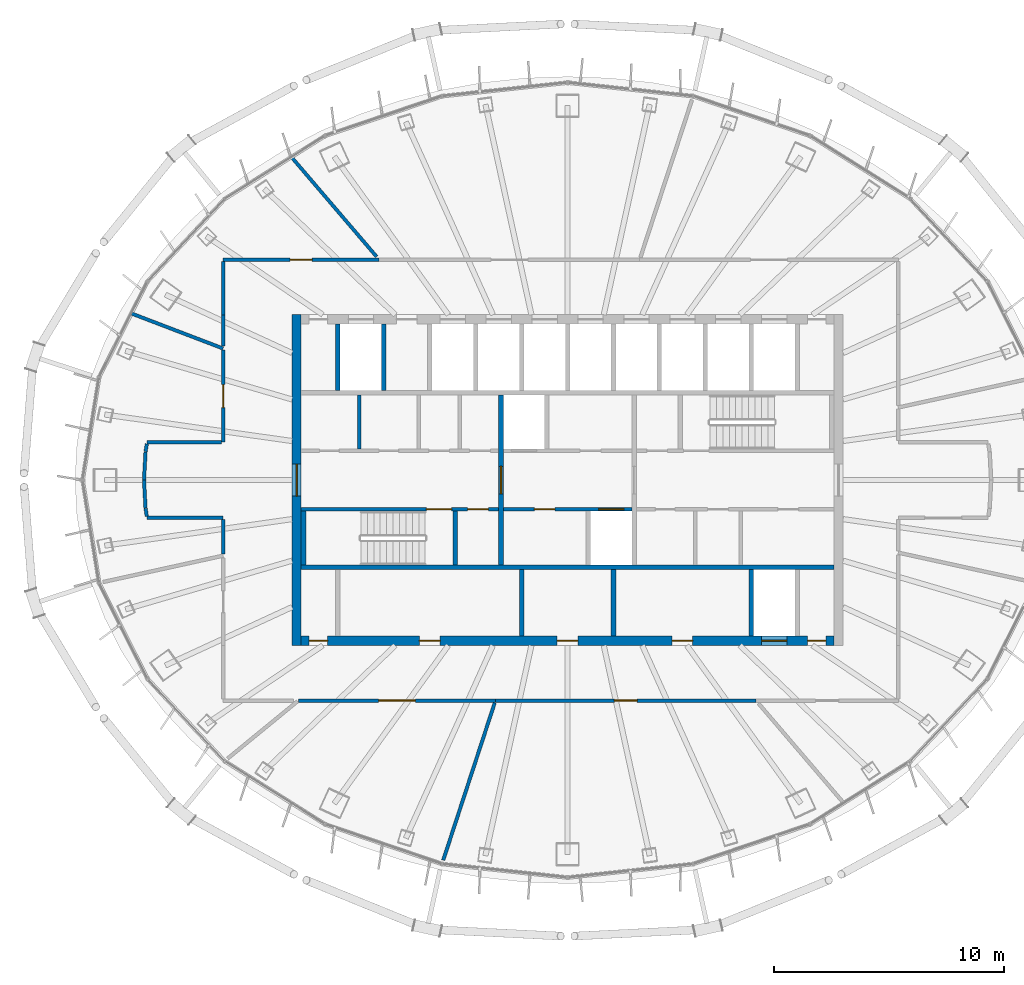
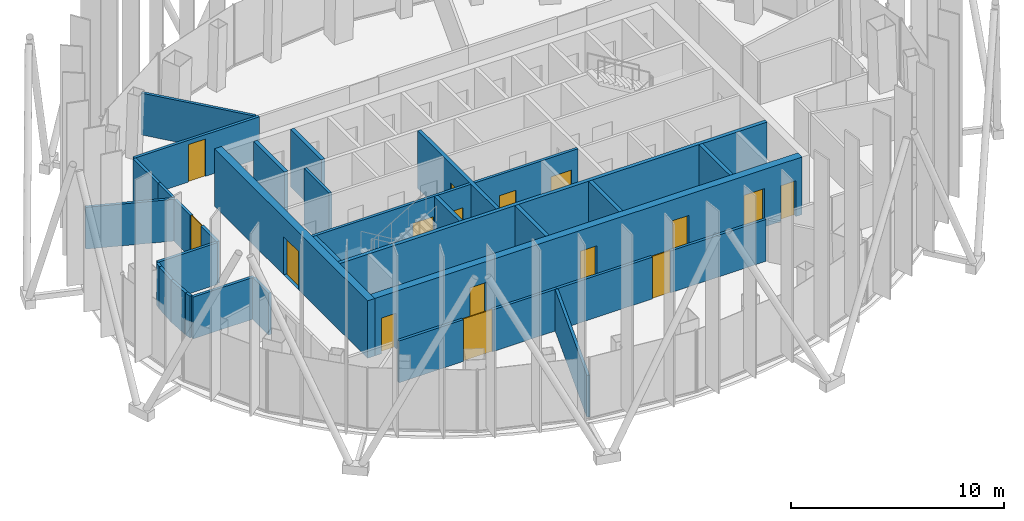
# One storey, part 9 of 19: 30 walls, 16 doors, 16 openings.
"""IFC4 building model written with IfcOpenShell, lengths in metres."""

from ifc_helpers import new_model, si_unit, direction, frame, frame_2d, origin, place, context, subcontext, project, spatial, rectangle, extrude, material, layer, layer_set, type_object, element, fill, save


model = new_model("IFC4")

# Units and contexts
model_context = context("Model", 3, precision=1e-05, world=origin(), true_north=direction((0.0, 1.0)))
body_context = subcontext(model_context, "Body", "Model", "MODEL_VIEW")
ifc_project = project(units=[si_unit("LENGTHUNIT", "METRE"), si_unit("AREAUNIT", "SQUARE_METRE"), si_unit("VOLUMEUNIT", "CUBIC_METRE"), si_unit("PLANEANGLEUNIT", "RADIAN"), si_unit("MASSUNIT", "GRAM", prefix="KILO")], contexts=[model_context])

# Site, building, storey
site_placement = place(None, origin())
site = spatial("IfcSite", under=ifc_project, at=site_placement, CompositionType="ELEMENT")
building_placement = place(site_placement, origin())
building = spatial("IfcBuilding", under=site, at=building_placement, Name="Siaravel Broadcast Tower", CompositionType="ELEMENT")
storey_placement = place(building_placement, frame((0.0, 0.0, 239.300048828125)))
storey = spatial("IfcBuildingStorey", under=building, at=storey_placement, Name="L58", CompositionType="ELEMENT", Elevation=239.300048828125)

# Walls
ifc_material_1 = material(Name="Concrete blockwork", Category="masonry")
ifc_layer_1 = layer(ifc_material_1, 0.14990234375)
ifc_layer_set_1 = layer_set([ifc_layer_1], Name="Concrete blockwork")
wall_type_1 = type_object("IfcWallType", Name="Core partition 150", PredefinedType="PARTITIONING", material=ifc_layer_set_1)
wall_1_placement = place(storey_placement, frame((-9.080078125, 1.35009765625, 0.0), z_axis=(0.0, 0.0, 1.0), x_axis=(0.0, 1.0, 0.0)))
element("IfcWall", 1, at=wall_1_placement, inside=storey, type_object=wall_type_1, Name="L58 core partition PNW0", PredefinedType="PARTITIONING", context=body_context, shape_type="SweptSolid", body=[
    extrude(rectangle(XDim=2.349853515625, YDim=0.14990234375, at=frame_2d((1.1748046875, 0.0))), origin(), (0.0, 0.0, 1.0), 3.300048828125),
])
ifc_layer_2 = layer(ifc_material_1, 0.199951171875)
ifc_layer_set_2 = layer_set([ifc_layer_2], Name="Concrete blockwork")
wall_type_2 = type_object("IfcWallType", Name="Core partition 200", PredefinedType="PARTITIONING", material=ifc_layer_set_2)
for number, where, z_axis, x_axis, name in (
    (2, (-2.0, -6.800048828125, 0.0), (0.0, 0.0, 1.0), (0.0, 1.0, 0.0), "L58 core partition PFS0"),
    (3, (2.0, -6.800048828125, 0.0), (0.0, 0.0, 1.0), (0.0, 1.0, 0.0), "L58 core partition PFS4"),
):
    element("IfcWall", number, at=place(storey_placement, frame(where, z_axis=z_axis, x_axis=x_axis)), inside=storey, type_object=wall_type_2, Name=name, PredefinedType="PARTITIONING", context=body_context, shape_type="SweptSolid", body=[
        extrude(rectangle(XDim=2.900146484375, YDim=0.199951171875, at=frame_2d((1.4501953125, 0.0))), origin(), (0.0, 0.0, 1.0), 3.300048828125),
    ])

# Wall, opening, door
ifc_material_2 = material(Name="Concrete C60/75", Category="concrete")
ifc_layer_3 = layer(ifc_material_2, 0.39990234375)
ifc_layer_set_3 = layer_set([ifc_layer_3], Name="Concrete C60/75")
wall_type_3 = type_object("IfcWallType", Name="Core wall 400", PredefinedType="SHEAR", material=ifc_layer_set_3)
wall_2_placement = place(storey_placement, frame((-11.800048828125, -7.199951171875, 0.0), z_axis=(0.0, 0.0, 1.0), x_axis=(0.0, 1.0, 0.0)))
wall_2 = element("IfcWall", 4, at=wall_2_placement, inside=storey, type_object=wall_type_3, Name="L58 core wall OW", PredefinedType="SHEAR", context=body_context, shape_type="SweptSolid", body=[
    extrude(rectangle(XDim=14.39990234375, YDim=0.39990234375, at=frame_2d((7.199951171875, 0.0))), origin(), (0.0, 0.0, 1.0), 3.300048828125),
])
opening_1_placement = place(wall_2_placement, frame((6.5, 0.0, 0.0)))
opening_1 = element("IfcOpeningElement", 5, at=opening_1_placement, cuts=wall_2, Name="Opening L58-DX-W", PredefinedType="OPENING", context=body_context, shape_type="SweptSolid", body=[
    extrude(rectangle(XDim=1.39990234375, YDim=2.199951171875, at=frame_2d((0.699951171875, 1.10009765625))), frame((0.0, 0.2099609375, 0.0), z_axis=(0.0, -1.0, 0.0), x_axis=(1.0, 0.0, 0.0)), (0.0, 0.0, 1.0), 0.419921875),
])
ifc_material_3 = material(Name="Steel", Category="steel")
door_type_1 = type_object("IfcDoorType", Name="Core exit door 1400", OperationType="DOUBLE_DOOR_SINGLE_SWING", PredefinedType="DOOR", material=ifc_material_3)
door_1_placement = place(opening_1_placement, origin())
door_1 = element("IfcDoor", 6, at=door_1_placement, inside=storey, type_object=door_type_1, Name="L58 door DX-W", OperationType="DOUBLE_DOOR_SINGLE_SWING", OverallHeight=2.199951171875, OverallWidth=1.39990234375, PredefinedType="DOOR", context=body_context, shape_type="SweptSolid", body=[
    extrude(rectangle(XDim=1.39990234375, YDim=2.199951171875, at=frame_2d((0.699951171875, 1.10009765625))), frame((0.0, 0.02490234375, 0.0), z_axis=(0.0, -1.0, 0.0), x_axis=(1.0, 0.0, 0.0)), (0.0, 0.0, 1.0), 0.050048828125),
])
fill(opening_1, door_1)

# Wall, openings, doors
wall_3_placement = place(storey_placement, frame((-11.60009765625, -7.0, 0.0), z_axis=(0.0, 0.0, 1.0), x_axis=(1.0, 0.0, 0.0)))
wall_3 = element("IfcWall", 7, at=wall_3_placement, inside=storey, type_object=wall_type_3, Name="L58 core wall OS", PredefinedType="SHEAR", context=body_context, shape_type="SweptSolid", body=[
    extrude(rectangle(XDim=23.2001953125, YDim=0.39990234375, at=frame_2d((11.60009765625, 0.0))), origin(), (0.0, 0.0, 1.0), 3.300048828125),
])
opening_2_placement = place(wall_3_placement, frame((20.050048828125, 0.0, 0.0)))
opening_2 = element("IfcOpeningElement", 8, at=opening_2_placement, cuts=wall_3, Name="Opening LD-SV1-L58", PredefinedType="OPENING", context=body_context, shape_type="SweptSolid", body=[
    extrude(rectangle(XDim=1.10009765625, YDim=2.199951171875, at=frame_2d((0.550048828125, 1.10009765625))), frame((0.0, 0.2099609375, 0.0), z_axis=(0.0, -1.0, 0.0), x_axis=(1.0, 0.0, 0.0)), (0.0, 0.0, 1.0), 0.419921875),
])
opening_3_placement = place(wall_3_placement, frame((5.14990234375, 0.0, 0.0)))
opening_3 = element("IfcOpeningElement", 9, at=opening_3_placement, cuts=wall_3, Name="Opening L58-DFS0", PredefinedType="OPENING", context=body_context, shape_type="SweptSolid", body=[
    extrude(rectangle(XDim=0.89990234375, YDim=2.10009765625, at=frame_2d((0.449951171875, 1.050048828125))), frame((0.0, 0.2099609375, 0.0), z_axis=(0.0, -1.0, 0.0), x_axis=(1.0, 0.0, 0.0)), (0.0, 0.0, 1.0), 0.419921875),
])
opening_4_placement = place(wall_3_placement, frame((11.14990234375, 0.0, 0.0)))
opening_4 = element("IfcOpeningElement", 10, at=opening_4_placement, cuts=wall_3, Name="Opening L58-DFS4", PredefinedType="OPENING", context=body_context, shape_type="SweptSolid", body=[
    extrude(rectangle(XDim=0.89990234375, YDim=2.10009765625, at=frame_2d((0.449951171875, 1.050048828125))), frame((0.0, 0.2099609375, 0.0), z_axis=(0.0, -1.0, 0.0), x_axis=(1.0, 0.0, 0.0)), (0.0, 0.0, 1.0), 0.419921875),
])
opening_5_placement = place(wall_3_placement, frame((16.14990234375, 0.0, 0.0)))
opening_5 = element("IfcOpeningElement", 11, at=opening_5_placement, cuts=wall_3, Name="Opening L58-DFS6", PredefinedType="OPENING", context=body_context, shape_type="SweptSolid", body=[
    extrude(rectangle(XDim=0.89990234375, YDim=2.10009765625, at=frame_2d((0.449951171875, 1.050048828125))), frame((0.0, 0.2099609375, 0.0), z_axis=(0.0, -1.0, 0.0), x_axis=(1.0, 0.0, 0.0)), (0.0, 0.0, 1.0), 0.419921875),
])
opening_6_placement = place(wall_3_placement, frame((0.35009765625, 0.0, 0.0)))
opening_6 = element("IfcOpeningElement", 12, at=opening_6_placement, cuts=wall_3, Name="Opening L58-DRSW", PredefinedType="OPENING", context=body_context, shape_type="SweptSolid", body=[
    extrude(rectangle(XDim=0.800048828125, YDim=2.050048828125, at=frame_2d((0.39990234375, 1.02490234375))), frame((0.0, 0.2099609375, 0.0), z_axis=(0.0, -1.0, 0.0), x_axis=(1.0, 0.0, 0.0)), (0.0, 0.0, 1.0), 0.419921875),
])
opening_7_placement = place(wall_3_placement, frame((22.050048828125, 0.0, 0.0)))
opening_7 = element("IfcOpeningElement", 13, at=opening_7_placement, cuts=wall_3, Name="Opening L58-DRSE", PredefinedType="OPENING", context=body_context, shape_type="SweptSolid", body=[
    extrude(rectangle(XDim=0.800048828125, YDim=2.050048828125, at=frame_2d((0.39990234375, 1.02490234375))), frame((0.0, 0.2099609375, 0.0), z_axis=(0.0, -1.0, 0.0), x_axis=(1.0, 0.0, 0.0)), (0.0, 0.0, 1.0), 0.419921875),
])
ifc_material_4 = material(Name="Timber veneer", Category="wood")
door_type_2 = type_object("IfcDoorType", Name="Core room door 900", OperationType="SINGLE_SWING_LEFT", PredefinedType="DOOR", material=ifc_material_4)
door_2_placement = place(opening_3_placement, origin())
door_2 = element("IfcDoor", 14, at=door_2_placement, inside=storey, type_object=door_type_2, Name="L58 door DFS0", OperationType="SINGLE_SWING_LEFT", OverallHeight=2.10009765625, OverallWidth=0.89990234375, PredefinedType="DOOR", context=body_context, shape_type="SweptSolid", body=[
    extrude(rectangle(XDim=0.89990234375, YDim=2.10009765625, at=frame_2d((0.449951171875, 1.050048828125))), frame((0.0, 0.02490234375, 0.0), z_axis=(0.0, -1.0, 0.0), x_axis=(1.0, 0.0, 0.0)), (0.0, 0.0, 1.0), 0.050048828125),
])
fill(opening_3, door_2)
door_3_placement = place(opening_4_placement, origin())
door_3 = element("IfcDoor", 15, at=door_3_placement, inside=storey, type_object=door_type_2, Name="L58 door DFS4", OperationType="SINGLE_SWING_LEFT", OverallHeight=2.10009765625, OverallWidth=0.89990234375, PredefinedType="DOOR", context=body_context, shape_type="SweptSolid", body=[
    extrude(rectangle(XDim=0.89990234375, YDim=2.10009765625, at=frame_2d((0.449951171875, 1.050048828125))), frame((0.0, 0.02490234375, 0.0), z_axis=(0.0, -1.0, 0.0), x_axis=(1.0, 0.0, 0.0)), (0.0, 0.0, 1.0), 0.050048828125),
])
fill(opening_4, door_3)
door_4_placement = place(opening_5_placement, origin())
door_4 = element("IfcDoor", 16, at=door_4_placement, inside=storey, type_object=door_type_2, Name="L58 door DFS6", OperationType="SINGLE_SWING_LEFT", OverallHeight=2.10009765625, OverallWidth=0.89990234375, PredefinedType="DOOR", context=body_context, shape_type="SweptSolid", body=[
    extrude(rectangle(XDim=0.89990234375, YDim=2.10009765625, at=frame_2d((0.449951171875, 1.050048828125))), frame((0.0, 0.02490234375, 0.0), z_axis=(0.0, -1.0, 0.0), x_axis=(1.0, 0.0, 0.0)), (0.0, 0.0, 1.0), 0.050048828125),
])
fill(opening_5, door_4)
door_type_3 = type_object("IfcDoorType", Name="Riser door 800", OperationType="SINGLE_SWING_LEFT", PredefinedType="DOOR", material=ifc_material_3)
door_5_placement = place(opening_6_placement, origin())
door_5 = element("IfcDoor", 17, at=door_5_placement, inside=storey, type_object=door_type_3, Name="L58 door DRSW", OperationType="SINGLE_SWING_LEFT", OverallHeight=2.050048828125, OverallWidth=0.800048828125, PredefinedType="DOOR", context=body_context, shape_type="SweptSolid", body=[
    extrude(rectangle(XDim=0.800048828125, YDim=2.050048828125, at=frame_2d((0.39990234375, 1.02490234375))), frame((0.0, 0.02490234375, 0.0), z_axis=(0.0, -1.0, 0.0), x_axis=(1.0, 0.0, 0.0)), (0.0, 0.0, 1.0), 0.050048828125),
])
fill(opening_6, door_5)
door_6_placement = place(opening_7_placement, origin())
door_6 = element("IfcDoor", 18, at=door_6_placement, inside=storey, type_object=door_type_3, Name="L58 door DRSE", OperationType="SINGLE_SWING_LEFT", OverallHeight=2.050048828125, OverallWidth=0.800048828125, PredefinedType="DOOR", context=body_context, shape_type="SweptSolid", body=[
    extrude(rectangle(XDim=0.800048828125, YDim=2.050048828125, at=frame_2d((0.39990234375, 1.02490234375))), frame((0.0, 0.02490234375, 0.0), z_axis=(0.0, -1.0, 0.0), x_axis=(1.0, 0.0, 0.0)), (0.0, 0.0, 1.0), 0.050048828125),
])
fill(opening_7, door_6)
ifc_material_5 = material(Name="Stainless steel 316L", Category="steel")
door_type_4 = type_object("IfcDoorType", Name="Service lift landing door 1100", OperationType="DOUBLE_DOOR_SLIDING", PredefinedType="DOOR", material=ifc_material_5)
door_7_placement = place(opening_2_placement, origin())
door_7 = element("IfcDoor", 19, at=door_7_placement, inside=storey, type_object=door_type_4, Name="Landing door SV1 L58", OperationType="DOUBLE_DOOR_SLIDING", OverallHeight=2.199951171875, OverallWidth=1.10009765625, PredefinedType="DOOR", context=body_context, shape_type="SweptSolid", body=[
    extrude(rectangle(XDim=1.10009765625, YDim=2.199951171875, at=frame_2d((0.550048828125, 1.10009765625))), frame((0.0, 0.02490234375, 0.0), z_axis=(0.0, -1.0, 0.0), x_axis=(1.0, 0.0, 0.0)), (0.0, 0.0, 1.0), 0.050048828125),
])
fill(opening_2, door_7)

# Wall, opening, door
ifc_material_6 = material(Name="Gypsum board partition", Category="gypsum")
ifc_layer_4 = layer(ifc_material_6, 0.14990234375)
ifc_layer_set_4 = layer_set([ifc_layer_4], Name="Gypsum board partition")
wall_type_4 = type_object("IfcWallType", Name="Corridor wall 150", PredefinedType="PARTITIONING", material=ifc_layer_set_4)
wall_4_placement = place(storey_placement, frame((-3.140380859375, -9.60009765625, 0.0), z_axis=(0.0, 0.0, 1.0), x_axis=(1.0, 0.0, 0.0)))
wall_4 = element("IfcWall", 20, at=wall_4_placement, inside=storey, type_object=wall_type_4, Name="L58 partition 1", PredefinedType="PARTITIONING", context=body_context, shape_type="SweptSolid", body=[
    extrude(rectangle(XDim=11.346923828125, YDim=0.14990234375, at=frame_2d((5.67333984375, 0.0))), origin(), (0.0, 0.0, 1.0), 2.39990234375),
])
opening_8_placement = place(wall_4_placement, frame((5.17333984375, 0.0, 0.0)))
opening_8 = element("IfcOpeningElement", 21, at=opening_8_placement, cuts=wall_4, Name="Opening L58-004", PredefinedType="OPENING", context=body_context, shape_type="SweptSolid", body=[
    extrude(rectangle(XDim=1.0, YDim=2.39990234375, at=frame_2d((0.5, 1.199951171875))), frame((0.0, 0.0849609375, 0.0), z_axis=(0.0, -1.0, 0.0), x_axis=(1.0, 0.0, 0.0)), (0.0, 0.0, 1.0), 0.169921875),
])
door_type_5 = type_object("IfcDoorType", Name="Executive office door 1000", OperationType="SINGLE_SWING_LEFT", PredefinedType="DOOR", material=ifc_material_4)
door_8_placement = place(opening_8_placement, origin())
door_8 = element("IfcDoor", 22, at=door_8_placement, inside=storey, type_object=door_type_5, Name="L58 door to Executive office", OperationType="SINGLE_SWING_RIGHT", OverallHeight=2.39990234375, OverallWidth=1.0, PredefinedType="DOOR", context=body_context, shape_type="SweptSolid", body=[
    extrude(rectangle(XDim=1.0, YDim=2.39990234375, at=frame_2d((0.5, 1.199951171875))), frame((0.0, 0.02490234375, 0.0), z_axis=(0.0, -1.0, 0.0), x_axis=(1.0, 0.0, 0.0)), (0.0, 0.0, 1.0), 0.050048828125),
])
fill(opening_8, door_8)

wall_5_placement = place(storey_placement, frame((-11.719970703125, -9.60009765625, 0.0), z_axis=(0.0, 0.0, 1.0), x_axis=(1.0, 0.0, 0.0)))
wall_5 = element("IfcWall", 23, at=wall_5_placement, inside=storey, type_object=wall_type_4, Name="L58 partition 4", PredefinedType="PARTITIONING", context=body_context, shape_type="SweptSolid", body=[
    extrude(rectangle(XDim=8.57861328125, YDim=0.14990234375, at=frame_2d((4.289306640625, 0.0))), origin(), (0.0, 0.0, 1.0), 2.39990234375),
])
opening_9_placement = place(wall_5_placement, frame((3.4892578125, 0.0, 0.0)))
opening_9 = element("IfcOpeningElement", 24, at=opening_9_placement, cuts=wall_5, Name="Opening L58-003", PredefinedType="OPENING", context=body_context, shape_type="SweptSolid", body=[
    extrude(rectangle(XDim=1.60009765625, YDim=2.39990234375, at=frame_2d((0.800048828125, 1.199951171875))), frame((0.0, 0.0849609375, 0.0), z_axis=(0.0, -1.0, 0.0), x_axis=(1.0, 0.0, 0.0)), (0.0, 0.0, 1.0), 0.169921875),
])
door_type_6 = type_object("IfcDoorType", Name="Restaurant double door 1600", OperationType="DOUBLE_DOOR_SINGLE_SWING", PredefinedType="DOOR", material=ifc_material_4)
door_9_placement = place(opening_9_placement, origin())
door_9 = element("IfcDoor", 25, at=door_9_placement, inside=storey, type_object=door_type_6, Name="L58 door to Lounge", OperationType="DOUBLE_DOOR_SINGLE_SWING", OverallHeight=2.39990234375, OverallWidth=1.60009765625, PredefinedType="DOOR", context=body_context, shape_type="SweptSolid", body=[
    extrude(rectangle(XDim=1.60009765625, YDim=2.39990234375, at=frame_2d((0.800048828125, 1.199951171875))), frame((0.0, 0.02490234375, 0.0), z_axis=(0.0, -1.0, 0.0), x_axis=(1.0, 0.0, 0.0)), (0.0, 0.0, 1.0), 0.050048828125),
])
fill(opening_9, door_9)

wall_6_placement = place(storey_placement, frame((-8.20654296875, 9.60009765625, 0.0), z_axis=(0.0, 0.0, 1.0), x_axis=(-1.0, 0.0, 0.0)))
wall_6 = element("IfcWall", 26, at=wall_6_placement, inside=storey, type_object=wall_type_4, Name="L58 partition 7", PredefinedType="PARTITIONING", context=body_context, shape_type="SweptSolid", body=[
    extrude(rectangle(XDim=6.79345703125, YDim=0.14990234375, at=frame_2d((3.396728515625, 0.0))), origin(), (0.0, 0.0, 1.0), 2.39990234375),
])
opening_10_placement = place(wall_6_placement, frame((2.921875, 0.0, 0.0)))
opening_10 = element("IfcOpeningElement", 27, at=opening_10_placement, cuts=wall_6, Name="Opening L58-009", PredefinedType="OPENING", context=body_context, shape_type="SweptSolid", body=[
    extrude(rectangle(XDim=0.949951171875, YDim=2.14990234375, at=frame_2d((0.47509765625, 1.074951171875))), frame((0.0, 0.0849609375, 0.0), z_axis=(0.0, -1.0, 0.0), x_axis=(1.0, 0.0, 0.0)), (0.0, 0.0, 1.0), 0.169921875),
])
door_type_7 = type_object("IfcDoorType", Name="Office door 950", OperationType="SINGLE_SWING_LEFT", PredefinedType="DOOR", material=ifc_material_4)
door_10_placement = place(opening_10_placement, origin())
door_10 = element("IfcDoor", 28, at=door_10_placement, inside=storey, type_object=door_type_7, Name="L58 door to Reception", OperationType="SINGLE_SWING_LEFT", OverallHeight=2.14990234375, OverallWidth=0.949951171875, PredefinedType="DOOR", context=body_context, shape_type="SweptSolid", body=[
    extrude(rectangle(XDim=0.949951171875, YDim=2.14990234375, at=frame_2d((0.47509765625, 1.074951171875))), frame((0.0, 0.02490234375, 0.0), z_axis=(0.0, -1.0, 0.0), x_axis=(1.0, 0.0, 0.0)), (0.0, 0.0, 1.0), 0.050048828125),
])
fill(opening_10, door_10)

wall_7_placement = place(storey_placement, frame((-15.0, 5.6572265625, 0.0), z_axis=(0.0, 0.0, 1.0), x_axis=(0.0, -1.0, 0.0)))
wall_7 = element("IfcWall", 29, at=wall_7_placement, inside=storey, type_object=wall_type_4, Name="L58 partition 15", PredefinedType="PARTITIONING", context=body_context, shape_type="SweptSolid", body=[
    extrude(rectangle(XDim=4.00732421875, YDim=0.14990234375, at=frame_2d((2.003662109375, 0.0))), origin(), (0.0, 0.0, 1.0), 2.39990234375),
])
opening_11_placement = place(wall_7_placement, frame((1.503662109375, 0.0, 0.0)))
opening_11 = element("IfcOpeningElement", 30, at=opening_11_placement, cuts=wall_7, Name="Opening L58-001", PredefinedType="OPENING", context=body_context, shape_type="SweptSolid", body=[
    extrude(rectangle(XDim=1.0, YDim=2.39990234375, at=frame_2d((0.5, 1.199951171875))), frame((0.0, 0.0849609375, 0.0), z_axis=(0.0, -1.0, 0.0), x_axis=(1.0, 0.0, 0.0)), (0.0, 0.0, 1.0), 0.169921875),
])
door_11_placement = place(opening_11_placement, origin())
door_11 = element("IfcDoor", 31, at=door_11_placement, inside=storey, type_object=door_type_5, Name="L58 door to Executive office", OperationType="SINGLE_SWING_LEFT", OverallHeight=2.39990234375, OverallWidth=1.0, PredefinedType="DOOR", context=body_context, shape_type="SweptSolid", body=[
    extrude(rectangle(XDim=1.0, YDim=2.39990234375, at=frame_2d((0.5, 1.199951171875))), frame((0.0, 0.02490234375, 0.0), z_axis=(0.0, -1.0, 0.0), x_axis=(1.0, 0.0, 0.0)), (0.0, 0.0, 1.0), 0.050048828125),
])
fill(opening_11, door_11)

# Walls
wall_8_placement = place(storey_placement, frame((-18.310791015625, -1.64990234375, 0.0), z_axis=(0.0, 0.0, 1.0), x_axis=(1.0, 0.0, 0.0)))
element("IfcWall", 32, at=wall_8_placement, inside=storey, type_object=wall_type_4, Name="L58 partition 22", PredefinedType="PARTITIONING", context=body_context, shape_type="SweptSolid", body=[
    extrude(rectangle(XDim=3.310791015625, YDim=0.14990234375, at=frame_2d((1.6552734375, 0.0))), origin(), (0.0, 0.0, 1.0), 2.39990234375),
])
wall_9_placement = place(storey_placement, frame((-15.076904296875, 1.64990234375, 0.0), z_axis=(0.0, 0.0, 1.0), x_axis=(-1.0, 0.0, 0.0)))
element("IfcWall", 33, at=wall_9_placement, inside=storey, type_object=wall_type_4, Name="L58 partition 23", PredefinedType="PARTITIONING", context=body_context, shape_type="SweptSolid", body=[
    extrude(rectangle(XDim=3.23388671875, YDim=0.14990234375, at=frame_2d((1.616943359375, 0.0))), origin(), (0.0, 0.0, 1.0), 2.39990234375),
])
wall_10_placement = place(storey_placement, frame((-15.0, 9.52294921875, 0.0), z_axis=(0.0, 0.0, 1.0), x_axis=(0.0, -1.0, 0.0)))
element("IfcWall", 34, at=wall_10_placement, inside=storey, type_object=wall_type_4, Name="L58 partition 26", PredefinedType="PARTITIONING", context=body_context, shape_type="SweptSolid", body=[
    extrude(rectangle(XDim=2.3349609375, YDim=0.14990234375, at=frame_2d((1.16748046875, 0.0))), origin(), (0.0, 0.0, 1.0), 2.39990234375),
])
wall_11_placement = place(storey_placement, frame((-15.0, -1.72705078125, 0.0), z_axis=(0.0, 0.0, 1.0), x_axis=(0.0, -1.0, 0.0)))
element("IfcWall", 35, at=wall_11_placement, inside=storey, type_object=wall_type_4, Name="L58 partition 29", PredefinedType="PARTITIONING", context=body_context, shape_type="SweptSolid", body=[
    extrude(rectangle(XDim=1.48974609375, YDim=0.14990234375, at=frame_2d((0.744873046875, 0.0))), origin(), (0.0, 0.0, 1.0), 2.39990234375),
])
wall_12_placement = place(storey_placement, frame((-15.0, 7.18701171875, 0.0), z_axis=(0.0, 0.0, 1.0), x_axis=(0.0, -1.0, 0.0)))
element("IfcWall", 36, at=wall_12_placement, inside=storey, type_object=wall_type_4, Name="L58 partition 32", PredefinedType="PARTITIONING", context=body_context, shape_type="SweptSolid", body=[
    extrude(rectangle(XDim=1.3466796875, YDim=0.14990234375, at=frame_2d((0.67333984375, 0.0))), origin(), (0.0, 0.0, 1.0), 2.39990234375),
])
wall_13_placement = place(storey_placement, frame((-18.4443359375, 0.0, 0.0), z_axis=(0.0, 0.0, 1.0), x_axis=(0.053310538, -0.998577982, 0.0)))
element("IfcWall", 37, at=wall_13_placement, inside=storey, type_object=wall_type_4, Name="L58 partition 33", PredefinedType="PARTITIONING", context=body_context, shape_type="SweptSolid", body=[
    extrude(rectangle(XDim=1.227294921875, YDim=0.14990234375, at=frame_2d((0.61376953125, 0.0))), origin(), (0.0, 0.0, 1.0), 2.39990234375),
])
wall_14_placement = place(storey_placement, frame((-18.37890625, 1.2255859375, 0.0), z_axis=(0.0, 0.0, 1.0), x_axis=(-0.053148314, -0.99858663, 0.0)))
element("IfcWall", 38, at=wall_14_placement, inside=storey, type_object=wall_type_4, Name="L58 partition 34", PredefinedType="PARTITIONING", context=body_context, shape_type="SweptSolid", body=[
    extrude(rectangle(XDim=1.21728515625, YDim=0.14990234375, at=frame_2d((0.608642578125, 0.0))), origin(), (0.0, 0.0, 1.0), 2.39990234375),
])
for number, where, z_axis, x_axis, name in (
    (39, (-18.377197265625, -1.235595703125, 0.0), (0.0, 0.0, 1.0), (0.158406053, -0.987374054, 0.0), "L58 partition 37"),
    (40, (-18.32275390625, 1.574951171875, 0.0), (0.0, 0.0, 1.0), (-0.158406053, -0.987374054, 0.0), "L58 partition 38"),
):
    element("IfcWall", number, at=place(storey_placement, frame(where, z_axis=z_axis, x_axis=x_axis)), inside=storey, type_object=wall_type_4, Name=name, PredefinedType="PARTITIONING", context=body_context, shape_type="SweptSolid", body=[
        extrude(rectangle(XDim=0.34375, YDim=0.14990234375, at=frame_2d((0.171875, 0.0))), origin(), (0.0, 0.0, 1.0), 2.39990234375),
    ])
ifc_layer_5 = layer(ifc_material_6, 0.14990234375)
ifc_layer_set_5 = layer_set([ifc_layer_5], Name="Gypsum board partition")
wall_type_5 = type_object("IfcWallType", Name="Room partition 150", PredefinedType="PARTITIONING", material=ifc_layer_set_5)
wall_15_placement = place(storey_placement, frame((-5.4150390625, -16.553955078125, 0.0), z_axis=(0.0, 0.0, 1.0), x_axis=(0.31090061, 0.950442429, 0.0)))
element("IfcWall", 41, at=wall_15_placement, inside=storey, type_object=wall_type_5, Name="L58 partition 5", PredefinedType="PARTITIONING", context=body_context, shape_type="SweptSolid", body=[
    extrude(rectangle(XDim=7.211181640625, YDim=0.14990234375, at=frame_2d((3.60546875, 0.0))), origin(), (0.0, 0.0, 1.0), 2.39990234375),
])
wall_16_placement = place(storey_placement, frame((-12.005126953125, 14.0439453125, 0.0), z_axis=(0.0, 0.0, 1.0), x_axis=(0.649775142, -0.760126479, 0.0)))
element("IfcWall", 42, at=wall_16_placement, inside=storey, type_object=wall_type_5, Name="L58 partition 11", PredefinedType="PARTITIONING", context=body_context, shape_type="SweptSolid", body=[
    extrude(rectangle(XDim=5.681396484375, YDim=0.14990234375, at=frame_2d((2.8408203125, 0.0))), origin(), (0.0, 0.0, 1.0), 2.39990234375),
])
wall_17_placement = place(storey_placement, frame((-15.0, 5.7294921875, 0.0), z_axis=(0.0, 0.0, 1.0), x_axis=(-0.934173237, 0.35681979, 0.0)))
element("IfcWall", 43, at=wall_17_placement, inside=storey, type_object=wall_type_5, Name="L58 partition 14", PredefinedType="PARTITIONING", context=body_context, shape_type="SweptSolid", body=[
    extrude(rectangle(XDim=4.260009765625, YDim=0.14990234375, at=frame_2d((2.1298828125, 0.0))), origin(), (0.0, 0.0, 1.0), 2.39990234375),
])

# Wall, openings, doors
ifc_layer_6 = layer(ifc_material_2, 0.14990234375)
ifc_layer_set_6 = layer_set([ifc_layer_6], Name="Concrete C60/75")
wall_type_6 = type_object("IfcWallType", Name="Shaft wall 150", PredefinedType="SHEAR", material=ifc_layer_set_6)
wall_18_placement = place(storey_placement, frame((-11.60009765625, -1.27490234375, 0.0), z_axis=(0.0, 0.0, 1.0), x_axis=(1.0, 0.0, 0.0)))
wall_18 = element("IfcWall", 44, at=wall_18_placement, inside=storey, type_object=wall_type_6, Name="L58 core wall CSW", PredefinedType="SHEAR", context=body_context, shape_type="SweptSolid", body=[
    extrude(rectangle(XDim=8.60009765625, YDim=0.14990234375, at=frame_2d((4.300048828125, 0.0))), origin(), (0.0, 0.0, 1.0), 3.300048828125),
])
opening_12_placement = place(wall_18_placement, frame((5.449951171875, 0.0, 0.0)))
opening_12 = element("IfcOpeningElement", 45, at=opening_12_placement, cuts=wall_18, Name="Opening L58-DS-1", PredefinedType="OPENING", context=body_context, shape_type="SweptSolid", body=[
    extrude(rectangle(XDim=1.10009765625, YDim=2.14990234375, at=frame_2d((0.550048828125, 1.074951171875))), frame((0.0, 0.0849609375, 0.0), z_axis=(0.0, -1.0, 0.0), x_axis=(1.0, 0.0, 0.0)), (0.0, 0.0, 1.0), 0.169921875),
])
opening_13_placement = place(wall_18_placement, frame((7.25, 0.0, 0.0)))
opening_13 = element("IfcOpeningElement", 46, at=opening_13_placement, cuts=wall_18, Name="Opening L58-DSW0", PredefinedType="OPENING", context=body_context, shape_type="SweptSolid", body=[
    extrude(rectangle(XDim=0.89990234375, YDim=2.10009765625, at=frame_2d((0.449951171875, 1.050048828125))), frame((0.0, 0.0849609375, 0.0), z_axis=(0.0, -1.0, 0.0), x_axis=(1.0, 0.0, 0.0)), (0.0, 0.0, 1.0), 0.169921875),
])
door_12_placement = place(opening_13_placement, origin())
door_12 = element("IfcDoor", 47, at=door_12_placement, inside=storey, type_object=door_type_2, Name="L58 door DSW0", OperationType="SINGLE_SWING_LEFT", OverallHeight=2.10009765625, OverallWidth=0.89990234375, PredefinedType="DOOR", context=body_context, shape_type="SweptSolid", body=[
    extrude(rectangle(XDim=0.89990234375, YDim=2.10009765625, at=frame_2d((0.449951171875, 1.050048828125))), frame((0.0, 0.02490234375, 0.0), z_axis=(0.0, -1.0, 0.0), x_axis=(1.0, 0.0, 0.0)), (0.0, 0.0, 1.0), 0.050048828125),
])
fill(opening_13, door_12)
door_type_8 = type_object("IfcDoorType", Name="Stair door 1100", OperationType="SINGLE_SWING_LEFT", PredefinedType="DOOR", material=ifc_material_3)
door_13_placement = place(opening_12_placement, origin())
door_13 = element("IfcDoor", 48, at=door_13_placement, inside=storey, type_object=door_type_8, Name="L58 door DS-1", OperationType="SINGLE_SWING_LEFT", OverallHeight=2.14990234375, OverallWidth=1.10009765625, PredefinedType="DOOR", context=body_context, shape_type="SweptSolid", body=[
    extrude(rectangle(XDim=1.10009765625, YDim=2.14990234375, at=frame_2d((0.550048828125, 1.074951171875))), frame((0.0, 0.02490234375, 0.0), z_axis=(0.0, -1.0, 0.0), x_axis=(1.0, 0.0, 0.0)), (0.0, 0.0, 1.0), 0.050048828125),
])
fill(opening_12, door_13)

wall_19_placement = place(storey_placement, frame((-2.800048828125, -1.27490234375, 0.0), z_axis=(0.0, 0.0, 1.0), x_axis=(1.0, 0.0, 0.0)))
wall_19 = element("IfcWall", 49, at=wall_19_placement, inside=storey, type_object=wall_type_6, Name="L58 core wall CSM", PredefinedType="SHEAR", context=body_context, shape_type="SweptSolid", body=[
    extrude(rectangle(XDim=5.60009765625, YDim=0.14990234375, at=frame_2d((2.800048828125, 0.0))), origin(), (0.0, 0.0, 1.0), 3.300048828125),
])
opening_14_placement = place(wall_19_placement, frame((4.14990234375, 0.0, 0.0)))
opening_14 = element("IfcOpeningElement", 50, at=opening_14_placement, cuts=wall_19, Name="Opening LD-FL2-L58", PredefinedType="OPENING", context=body_context, shape_type="SweptSolid", body=[
    extrude(rectangle(XDim=1.10009765625, YDim=2.199951171875, at=frame_2d((0.550048828125, 1.10009765625))), frame((0.0, 0.0849609375, 0.0), z_axis=(0.0, -1.0, 0.0), x_axis=(1.0, 0.0, 0.0)), (0.0, 0.0, 1.0), 0.169921875),
])
opening_15_placement = place(wall_19_placement, frame((1.35009765625, 0.0, 0.0)))
opening_15 = element("IfcOpeningElement", 51, at=opening_15_placement, cuts=wall_19, Name="Opening L58-DSM0", PredefinedType="OPENING", context=body_context, shape_type="SweptSolid", body=[
    extrude(rectangle(XDim=0.89990234375, YDim=2.10009765625, at=frame_2d((0.449951171875, 1.050048828125))), frame((0.0, 0.0849609375, 0.0), z_axis=(0.0, -1.0, 0.0), x_axis=(1.0, 0.0, 0.0)), (0.0, 0.0, 1.0), 0.169921875),
])
door_14_placement = place(opening_15_placement, origin())
door_14 = element("IfcDoor", 52, at=door_14_placement, inside=storey, type_object=door_type_2, Name="L58 door DSM0", OperationType="SINGLE_SWING_LEFT", OverallHeight=2.10009765625, OverallWidth=0.89990234375, PredefinedType="DOOR", context=body_context, shape_type="SweptSolid", body=[
    extrude(rectangle(XDim=0.89990234375, YDim=2.10009765625, at=frame_2d((0.449951171875, 1.050048828125))), frame((0.0, 0.02490234375, 0.0), z_axis=(0.0, -1.0, 0.0), x_axis=(1.0, 0.0, 0.0)), (0.0, 0.0, 1.0), 0.050048828125),
])
fill(opening_15, door_14)
door_type_9 = type_object("IfcDoorType", Name="Firefighting lift landing door 1100", OperationType="DOUBLE_DOOR_SLIDING", PredefinedType="DOOR", material=ifc_material_5)
door_15_placement = place(opening_14_placement, origin())
door_15 = element("IfcDoor", 53, at=door_15_placement, inside=storey, type_object=door_type_9, Name="Landing door FL2 L58", OperationType="DOUBLE_DOOR_SLIDING", OverallHeight=2.199951171875, OverallWidth=1.10009765625, PredefinedType="DOOR", context=body_context, shape_type="SweptSolid", body=[
    extrude(rectangle(XDim=1.10009765625, YDim=2.199951171875, at=frame_2d((0.550048828125, 1.10009765625))), frame((0.0, 0.02490234375, 0.0), z_axis=(0.0, -1.0, 0.0), x_axis=(1.0, 0.0, 0.0)), (0.0, 0.0, 1.0), 0.050048828125),
])
fill(opening_14, door_15)

# Walls
ifc_layer_7 = layer(ifc_material_2, 0.199951171875)
ifc_layer_set_7 = layer_set([ifc_layer_7], Name="Concrete C60/75")
wall_type_7 = type_object("IfcWallType", Name="Shaft wall 200", PredefinedType="SHEAR", material=ifc_layer_set_7)
wall_20_placement = place(storey_placement, frame((-11.60009765625, -3.800048828125, 0.0), z_axis=(0.0, 0.0, 1.0), x_axis=(1.0, 0.0, 0.0)))
element("IfcWall", 54, at=wall_20_placement, inside=storey, type_object=wall_type_7, Name="L58 core wall BS", PredefinedType="SHEAR", context=body_context, shape_type="SweptSolid", body=[
    extrude(rectangle(XDim=23.2001953125, YDim=0.199951171875, at=frame_2d((11.60009765625, 0.0))), origin(), (0.0, 0.0, 1.0), 3.300048828125),
])
for number, where, z_axis, x_axis, name in (
    (55, (8.0, -6.800048828125, 0.0), (0.0, 0.0, 1.0), (0.0, 1.0, 0.0), "L58 core wall SWS9"),
    (56, (-10.0, 3.89990234375, 0.0), (0.0, 0.0, 1.0), (0.0, 1.0, 0.0), "L58 core wall SWN0"),
    (57, (-8.0, 3.89990234375, 0.0), (0.0, 0.0, 1.0), (0.0, 1.0, 0.0), "L58 core wall SWN1"),
):
    element("IfcWall", number, at=place(storey_placement, frame(where, z_axis=z_axis, x_axis=x_axis)), inside=storey, type_object=wall_type_7, Name=name, PredefinedType="SHEAR", context=body_context, shape_type="SweptSolid", body=[
        extrude(rectangle(XDim=2.900146484375, YDim=0.199951171875, at=frame_2d((1.4501953125, 0.0))), origin(), (0.0, 0.0, 1.0), 3.300048828125),
    ])

# Wall, opening, door
wall_21_placement = place(storey_placement, frame((-2.89990234375, -3.699951171875, 0.0), z_axis=(0.0, 0.0, 1.0), x_axis=(0.0, 1.0, 0.0)))
wall_21 = element("IfcWall", 58, at=wall_21_placement, inside=storey, type_object=wall_type_7, Name="L58 core wall LW", PredefinedType="SHEAR", context=body_context, shape_type="SweptSolid", body=[
    extrude(rectangle(XDim=7.39990234375, YDim=0.199951171875, at=frame_2d((3.699951171875, 0.0))), origin(), (0.0, 0.0, 1.0), 3.300048828125),
])
opening_16_placement = place(wall_21_placement, frame((3.10009765625, 0.0, 0.0)))
opening_16 = element("IfcOpeningElement", 59, at=opening_16_placement, cuts=wall_21, Name="Opening L58-DL-W", PredefinedType="OPENING", context=body_context, shape_type="SweptSolid", body=[
    extrude(rectangle(XDim=1.199951171875, YDim=2.199951171875, at=frame_2d((0.60009765625, 1.10009765625))), frame((0.0, 0.10986328125, 0.0), z_axis=(0.0, -1.0, 0.0), x_axis=(1.0, 0.0, 0.0)), (0.0, 0.0, 1.0), 0.219970703125),
])
door_type_10 = type_object("IfcDoorType", Name="Firefighting lobby door 1200", OperationType="SINGLE_SWING_LEFT", PredefinedType="DOOR", material=ifc_material_3)
door_16_placement = place(opening_16_placement, origin())
door_16 = element("IfcDoor", 60, at=door_16_placement, inside=storey, type_object=door_type_10, Name="L58 door DL-W", OperationType="SINGLE_SWING_LEFT", OverallHeight=2.199951171875, OverallWidth=1.199951171875, PredefinedType="DOOR", context=body_context, shape_type="SweptSolid", body=[
    extrude(rectangle(XDim=1.199951171875, YDim=2.199951171875, at=frame_2d((0.60009765625, 1.10009765625))), frame((0.0, 0.02490234375, 0.0), z_axis=(0.0, -1.0, 0.0), x_axis=(1.0, 0.0, 0.0)), (0.0, 0.0, 1.0), 0.050048828125),
])
fill(opening_16, door_16)

# Walls
for number, where, z_axis, x_axis, name in (
    (61, (-11.5, -3.699951171875, 0.0), (0.0, 0.0, 1.0), (0.0, 1.0, 0.0), "L58 core wall ST1W"),
    (62, (-4.89990234375, -3.699951171875, 0.0), (0.0, 0.0, 1.0), (0.0, 1.0, 0.0), "L58 core wall ST1E"),
):
    element("IfcWall", number, at=place(storey_placement, frame(where, z_axis=z_axis, x_axis=x_axis)), inside=storey, type_object=wall_type_7, Name=name, PredefinedType="SHEAR", context=body_context, shape_type="SweptSolid", body=[
        extrude(rectangle(XDim=2.349853515625, YDim=0.199951171875, at=frame_2d((1.1748046875, 0.0))), origin(), (0.0, 0.0, 1.0), 3.300048828125),
    ])

save(model, "model.ifc")
